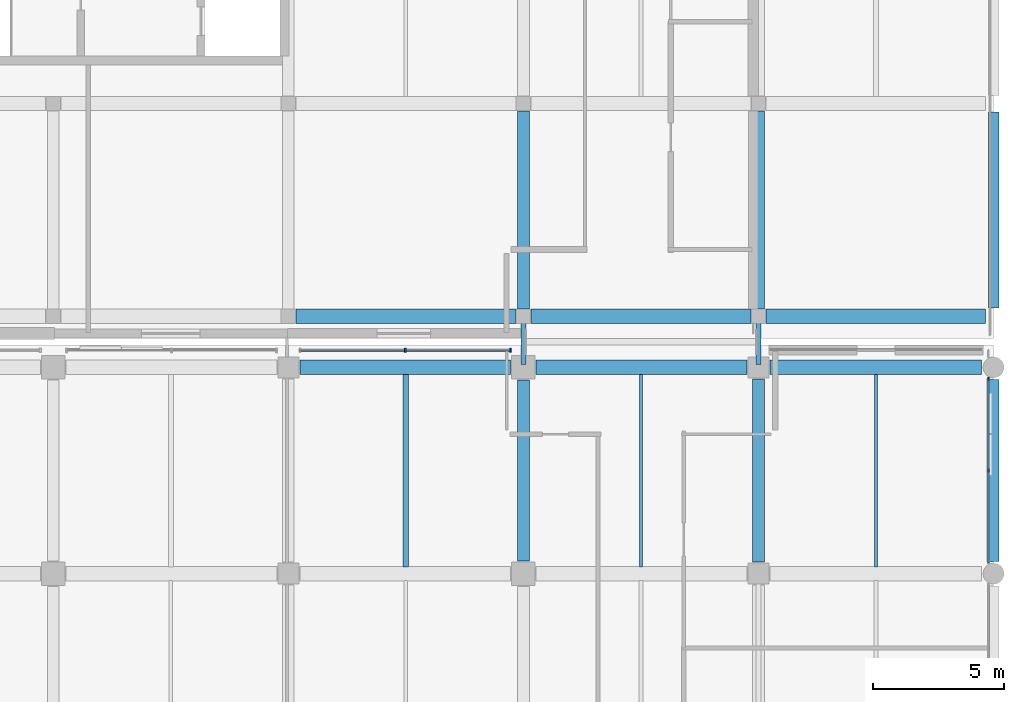
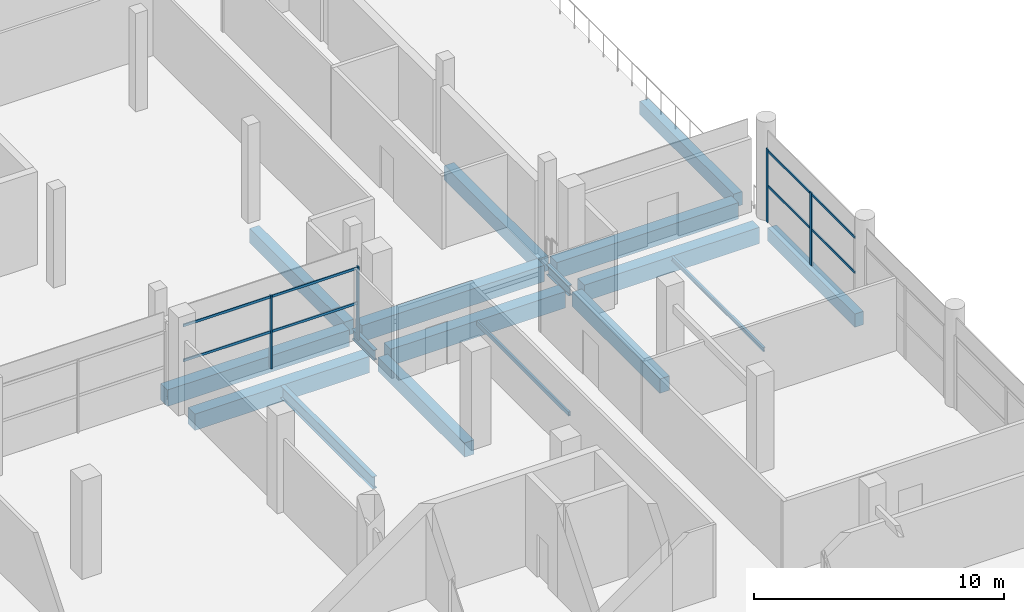
# One storey, part 41 of 111: 17 beams, 8 members, 2 elements without a shape of their own.
"""IFC4 building model written with IfcOpenShell, lengths in metres."""

from ifc_helpers import new_model, si_unit, direction, frame, origin, origin_2d, place, context, subcontext, project, spatial, rectangle, hollow_rectangle, i_section, extrude, material, material_profile, profile_set, type_object, element, aggregate, save


model = new_model("IFC4")

# Units and contexts
model_context = context("Model", 3, precision=1e-05, world=origin(), true_north=direction((0.0, 1.0)))
body_context = subcontext(model_context, "Body", "Model", "MODEL_VIEW")
ifc_project = project(units=[si_unit("LENGTHUNIT", "METRE"), si_unit("AREAUNIT", "SQUARE_METRE"), si_unit("VOLUMEUNIT", "CUBIC_METRE"), si_unit("PLANEANGLEUNIT", "RADIAN"), si_unit("MASSUNIT", "GRAM", prefix="KILO"), si_unit("THERMODYNAMICTEMPERATUREUNIT", "KELVIN"), si_unit("POWERUNIT", "WATT")], contexts=[model_context])

# Site, building, storey
site_placement = place(None, origin())
site = spatial("IfcSite", under=ifc_project, at=site_placement, CompositionType="ELEMENT")
building_placement = place(site_placement, origin())
building = spatial("IfcBuilding", under=site, at=building_placement, Name="Sindhuravela Promenade Stadium", CompositionType="ELEMENT")
storey_placement = place(building_placement, frame((0.0, 0.0, 9.60009765625)))
storey = spatial("IfcBuildingStorey", under=building, at=storey_placement, Name="L02", CompositionType="ELEMENT", Elevation=9.60009765625)

# Curtain wall, members
ifc_material_1 = material(Name="Anodised architectural aluminium 6063-T6", Category="aluminium")
curtain_wall_type_1 = type_object("IfcCurtainWallType", Name="CW-MOD-2", PredefinedType="NOTDEFINED", material=ifc_material_1)
curtain_wall_1_placement = place(storey_placement, origin())
curtain_wall_1 = element("IfcCurtainWall", 1, at=curtain_wall_1_placement, inside=storey, type_object=curtain_wall_type_1, Name="Bronze curtain wall CW-EAST-L02-105", PredefinedType="NOTDEFINED")
ifc_material_profile_1 = material_profile(ifc_material_1, rectangle(XDim=0.06005859375, YDim=0.159912109375, at=origin_2d()), Name="ALU M60x160")
ifc_profile_set_1 = profile_set([ifc_material_profile_1], Name="Anodised architectural aluminium 6063-T6")
member_type_1 = type_object("IfcMemberType", Name="CW-MUL-4", PredefinedType="MULLION", material=ifc_profile_set_1)
member_1_placement = place(storey_placement, frame((193.47509765625, 125.550048828125, 0.0), z_axis=(0.0, 0.0, 1.0), x_axis=(1.0, 0.0, 0.0)))
member_1 = element("IfcMember", 2, at=member_1_placement, type_object=member_type_1, Name="Curtain wall mullion CW-EAST-L02-105-M2", PredefinedType="MULLION", context=body_context, shape_type="SweptSolid", body=[
    extrude(rectangle(XDim=0.06005859375, YDim=0.159912109375, at=origin_2d()), origin(), (0.0, 0.0, 1.0), 3.579833984375),
])
member_2_placement = place(storey_placement, frame((197.5, 125.550048828125, 0.0), z_axis=(0.0, 0.0, 1.0), x_axis=(1.0, 0.0, 0.0)))
member_2 = element("IfcMember", 3, at=member_2_placement, type_object=member_type_1, Name="Curtain wall mullion CW-EAST-L02-105-M3", PredefinedType="MULLION", context=body_context, shape_type="SweptSolid", body=[
    extrude(rectangle(XDim=0.06005859375, YDim=0.159912109375, at=origin_2d()), origin(), (0.0, 0.0, 1.0), 3.579833984375),
])

curtain_wall_type_2 = type_object("IfcCurtainWallType", Name="CW-MOD-3", PredefinedType="NOTDEFINED", material=ifc_material_1)
curtain_wall_2_placement = place(storey_placement, origin())
curtain_wall_2 = element("IfcCurtainWall", 4, at=curtain_wall_2_placement, inside=storey, type_object=curtain_wall_type_2, Name="Bronze curtain wall CW-EAST-L02-106", PredefinedType="NOTDEFINED")
ifc_material_profile_2 = material_profile(ifc_material_1, rectangle(XDim=0.06005859375, YDim=0.139892578125, at=origin_2d()), Name="ALU M60x140")
ifc_profile_set_2 = profile_set([ifc_material_profile_2], Name="Anodised architectural aluminium 6063-T6")
member_type_2 = type_object("IfcMemberType", Name="CW-MUL-5", PredefinedType="MULLION", material=ifc_profile_set_2)
member_3_placement = place(storey_placement, frame((215.800048828125, 124.449951171875, 0.0), z_axis=(0.0, 0.0, 1.0), x_axis=(1.0, 0.0, 0.0)))
member_3 = element("IfcMember", 5, at=member_3_placement, type_object=member_type_2, Name="Curtain wall mullion CW-EAST-L02-106-M1", PredefinedType="MULLION", context=body_context, shape_type="SweptSolid", body=[
    extrude(rectangle(XDim=0.06005859375, YDim=0.139892578125, at=origin_2d()), origin(), (0.0, 0.0, 1.0), 3.579833984375),
])
member_4_placement = place(storey_placement, frame((215.800048828125, 120.949951171875, 0.0), z_axis=(0.0, 0.0, 1.0), x_axis=(1.0, 0.0, 0.0)))
member_4 = element("IfcMember", 6, at=member_4_placement, type_object=member_type_2, Name="Curtain wall mullion CW-EAST-L02-106-M2", PredefinedType="MULLION", context=body_context, shape_type="SweptSolid", body=[
    extrude(rectangle(XDim=0.06005859375, YDim=0.139892578125, at=origin_2d()), origin(), (0.0, 0.0, 1.0), 3.579833984375),
])

# Member
ifc_material_profile_3 = material_profile(ifc_material_1, rectangle(XDim=0.06005859375, YDim=0.1201171875, at=origin_2d()), Name="ALU T60x120")
ifc_profile_set_3 = profile_set([ifc_material_profile_3], Name="Anodised architectural aluminium 6063-T6")
member_type_3 = type_object("IfcMemberType", Name="CW-TRN-4", PredefinedType="USERDEFINED", material=ifc_profile_set_3)
member_5_placement = place(storey_placement, frame((189.425048828125, 125.550048828125, 1.789794921875), z_axis=(1.0, 0.0, 0.0), x_axis=(0.0, 1.0, 0.0)))
member_5 = element("IfcMember", 7, at=member_5_placement, type_object=member_type_3, Name="Curtain wall transom CW-EAST-L02-105-T1", ObjectType="TRANSOM", PredefinedType="USERDEFINED", context=body_context, shape_type="SweptSolid", body=[
    extrude(rectangle(XDim=0.06005859375, YDim=0.1201171875, at=origin_2d()), origin(), (0.0, 0.0, 1.0), 8.099853515625),
])

member_6_placement = place(storey_placement, frame((189.425048828125, 125.550048828125, 3.5), z_axis=(1.0, 0.0, 0.0), x_axis=(0.0, 1.0, 0.0)))
member_6 = element("IfcMember", 8, at=member_6_placement, type_object=member_type_3, Name="Curtain wall transom CW-EAST-L02-105-T2", ObjectType="TRANSOM", PredefinedType="USERDEFINED", context=body_context, shape_type="SweptSolid", body=[
    extrude(rectangle(XDim=0.06005859375, YDim=0.1201171875, at=origin_2d()), origin(), (0.0, 0.0, 1.0), 8.099853515625),
])

aggregate(curtain_wall_1, [member_1, member_2, member_5, member_6])

ifc_material_profile_4 = material_profile(ifc_material_1, rectangle(XDim=0.06005859375, YDim=0.110107421875, at=origin_2d()), Name="ALU T60x110")
ifc_profile_set_4 = profile_set([ifc_material_profile_4], Name="Anodised architectural aluminium 6063-T6")
member_type_4 = type_object("IfcMemberType", Name="CW-TRN-5", PredefinedType="USERDEFINED", material=ifc_profile_set_4)
member_7_placement = place(storey_placement, frame((215.800048828125, 124.47509765625, 1.789794921875), z_axis=(0.0, -1.0, 0.0), x_axis=(1.0, 0.0, 0.0)))
member_7 = element("IfcMember", 9, at=member_7_placement, type_object=member_type_4, Name="Curtain wall transom CW-EAST-L02-106-T1", ObjectType="TRANSOM", PredefinedType="USERDEFINED", context=body_context, shape_type="SweptSolid", body=[
    extrude(rectangle(XDim=0.06005859375, YDim=0.110107421875, at=origin_2d()), origin(), (0.0, 0.0, 1.0), 7.050048828125),
])

member_8_placement = place(storey_placement, frame((215.800048828125, 124.47509765625, 3.5), z_axis=(0.0, -1.0, 0.0), x_axis=(1.0, 0.0, 0.0)))
member_8 = element("IfcMember", 10, at=member_8_placement, type_object=member_type_4, Name="Curtain wall transom CW-EAST-L02-106-T2", ObjectType="TRANSOM", PredefinedType="USERDEFINED", context=body_context, shape_type="SweptSolid", body=[
    extrude(rectangle(XDim=0.06005859375, YDim=0.110107421875, at=origin_2d()), origin(), (0.0, 0.0, 1.0), 7.050048828125),
])

aggregate(curtain_wall_2, [member_3, member_4, member_7, member_8])

# Beams
ifc_material_2 = material(Name="Concrete M40", Category="concrete")
ifc_material_profile_5 = material_profile(ifc_material_2, rectangle(XDim=0.39990234375, YDim=0.64990234375, at=origin_2d()), Name="RC 400x650")
ifc_profile_set_5 = profile_set([ifc_material_profile_5], Name="Concrete M40")
beam_type_1 = type_object("IfcBeamType", Name="RC-BM-400x650", PredefinedType="SPANDREL", material=ifc_profile_set_5)
beam_1_placement = place(storey_placement, frame((216.0, 117.465087890625, -0.60498046875), z_axis=(0.0, 1.0, 0.0), x_axis=(-1.0, 0.0, 0.0)))
element("IfcBeam", 11, at=beam_1_placement, inside=storey, type_object=beam_type_1, Name="Primary beam SP01 EAST L02", PredefinedType="SPANDREL", context=body_context, shape_type="SweptSolid", body=[
    extrude(rectangle(XDim=0.39990234375, YDim=0.64990234375, at=origin_2d()), origin(), (0.0, 0.0, 1.0), 6.969970703125),
])
beam_2_placement = place(storey_placement, frame((216.0, 127.1650390625, -0.635009765625), z_axis=(0.0, 1.0, 0.0), x_axis=(-1.0, 0.0, 0.0)))
element("IfcBeam", 12, at=beam_2_placement, inside=storey, type_object=beam_type_1, Name="Primary beam SP01 Pavilion NE L02", PredefinedType="SPANDREL", context=body_context, shape_type="SweptSolid", body=[
    extrude(rectangle(XDim=0.39990234375, YDim=0.64990234375, at=origin_2d()), origin(), (0.0, 0.0, 1.0), 7.52001953125),
])
ifc_material_profile_6 = material_profile(ifc_material_2, rectangle(XDim=0.449951171875, YDim=0.699951171875, at=origin_2d()), Name="RC 450x700")
ifc_profile_set_6 = profile_set([ifc_material_profile_6], Name="Concrete M40")
beam_type_2 = type_object("IfcBeamType", Name="RC-BM-450x700", PredefinedType="BEAM", material=ifc_profile_set_6)
beam_3_placement = place(storey_placement, frame((198.0, 117.489990234375, -0.630126953125), z_axis=(0.0, 1.0, 0.0), x_axis=(-1.0, 0.0, 0.0)))
element("IfcBeam", 13, at=beam_3_placement, inside=storey, type_object=beam_type_2, Name="Primary beam GB07 EAST L02", PredefinedType="BEAM", context=body_context, shape_type="SweptSolid", body=[
    extrude(rectangle(XDim=0.449951171875, YDim=0.699951171875, at=origin_2d()), origin(), (0.0, 0.0, 1.0), 6.919921875),
])
beam_4_placement = place(storey_placement, frame((207.0, 117.43994140625, -0.630126953125), z_axis=(0.0, 1.0, 0.0), x_axis=(-1.0, 0.0, 0.0)))
element("IfcBeam", 14, at=beam_4_placement, inside=storey, type_object=beam_type_2, Name="Primary beam GB07 EAST L02", PredefinedType="BEAM", context=body_context, shape_type="SweptSolid", body=[
    extrude(rectangle(XDim=0.449951171875, YDim=0.699951171875, at=origin_2d()), origin(), (0.0, 0.0, 1.0), 7.02001953125),
])
for number, where, z_axis, x_axis, name in (
    (15, (198.0, 127.139892578125, -0.585205078125), (0.0, 1.0, 0.0), (-1.0, 0.0, 0.0), "Primary beam GB07 Pavilion NE L02"),
    (16, (207.0, 127.139892578125, -0.66015625), (0.0, 1.0, 0.0), (-1.0, 0.0, 0.0), "Primary beam GB07 Pavilion NE L02"),
):
    element("IfcBeam", number, at=place(storey_placement, frame(where, z_axis=z_axis, x_axis=x_axis)), inside=storey, type_object=beam_type_2, Name=name, PredefinedType="BEAM", context=body_context, shape_type="SweptSolid", body=[
        extrude(rectangle(XDim=0.449951171875, YDim=0.699951171875, at=origin_2d()), origin(), (0.0, 0.0, 1.0), 7.570068359375),
    ])
ifc_material_profile_7 = material_profile(ifc_material_2, rectangle(XDim=0.550048828125, YDim=0.800048828125, at=origin_2d()), Name="RC 550x800")
ifc_profile_set_7 = profile_set([ifc_material_profile_7], Name="Concrete M40")
beam_type_3 = type_object("IfcBeamType", Name="RC-BM-550x800", PredefinedType="BEAM", material=ifc_profile_set_7)
for number, where, z_axis, x_axis, name in (
    (17, (189.43994140625, 124.89990234375, -0.68017578125), (1.0, 0.0, 0.0), (0.0, 1.0, 0.0), "Primary girder GB05 EAST L02"),
    (18, (198.489990234375, 124.89990234375, -0.68017578125), (1.0, 0.0, 0.0), (0.0, 1.0, 0.0), "Primary girder GB05 EAST L02"),
):
    element("IfcBeam", number, at=place(storey_placement, frame(where, z_axis=z_axis, x_axis=x_axis)), inside=storey, type_object=beam_type_3, Name=name, PredefinedType="BEAM", context=body_context, shape_type="SweptSolid", body=[
        extrude(rectangle(XDim=0.550048828125, YDim=0.800048828125, at=origin_2d()), origin(), (0.0, 0.0, 1.0), 8.070068359375),
    ])
beam_5_placement = place(storey_placement, frame((207.43994140625, 124.89990234375, -0.68017578125), z_axis=(1.0, 0.0, 0.0), x_axis=(0.0, 1.0, 0.0)))
element("IfcBeam", 19, at=beam_5_placement, inside=storey, type_object=beam_type_3, Name="Primary girder GB05 EAST L02", PredefinedType="BEAM", context=body_context, shape_type="SweptSolid", body=[
    extrude(rectangle(XDim=0.550048828125, YDim=0.800048828125, at=origin_2d()), origin(), (0.0, 0.0, 1.0), 8.094970703125),
])
for number, where, z_axis, x_axis, name in (
    (20, (189.2900390625, 126.85009765625, -0.635009765625), (1.0, 0.0, 0.0), (0.0, 1.0, 0.0), "Primary girder GB05 Pavilion NE L02"),
    (21, (198.2900390625, 126.85009765625, -0.635009765625), (1.0, 0.0, 0.0), (0.0, 1.0, 0.0), "Primary girder GB05 Pavilion NE L02"),
):
    element("IfcBeam", number, at=place(storey_placement, frame(where, z_axis=z_axis, x_axis=x_axis)), inside=storey, type_object=beam_type_3, Name=name, PredefinedType="BEAM", context=body_context, shape_type="SweptSolid", body=[
        extrude(rectangle(XDim=0.550048828125, YDim=0.800048828125, at=origin_2d()), origin(), (0.0, 0.0, 1.0), 8.419921875),
    ])
beam_6_placement = place(storey_placement, frame((207.2900390625, 126.85009765625, -0.710205078125), z_axis=(1.0, 0.0, 0.0), x_axis=(0.0, 1.0, 0.0)))
element("IfcBeam", 22, at=beam_6_placement, inside=storey, type_object=beam_type_3, Name="Primary girder GB05 Pavilion NE L02", PredefinedType="BEAM", context=body_context, shape_type="SweptSolid", body=[
    extrude(rectangle(XDim=0.550048828125, YDim=0.800048828125, at=origin_2d()), origin(), (0.0, 0.0, 1.0), 8.39501953125),
])
ifc_material_3 = material(Name="Steel E350 (IS 2062 E350BR)", Category="steel")
ifc_material_profile_8 = material_profile(ifc_material_3, hollow_rectangle(XDim=0.10009765625, YDim=0.199951171875, WallThickness=0.008056640625, at=origin_2d()), Name="RHS 200x100x8")
ifc_profile_set_8 = profile_set([ifc_material_profile_8], Name="Steel E350 (IS 2062 E350BR)")
beam_type_4 = type_object("IfcBeamType", Name="ST-BM-LNT200", PredefinedType="LINTEL", material=ifc_profile_set_8)
beam_7_placement = place(storey_placement, frame((202.5, 117.264892578125, -0.380126953125), z_axis=(0.0, 1.0, 0.0), x_axis=(-1.0, 0.0, 0.0)))
element("IfcBeam", 23, at=beam_7_placement, inside=storey, type_object=beam_type_4, Name="Secondary floor joist LN01 EAST L02", PredefinedType="LINTEL", context=body_context, shape_type="SweptSolid", body=[
    extrude(hollow_rectangle(XDim=0.10009765625, YDim=0.199951171875, WallThickness=0.008056640625, at=origin_2d()), origin(), (0.0, 0.0, 1.0), 7.3701171875),
])
ifc_material_profile_9 = material_profile(ifc_material_3, i_section(OverallWidth=0.10009765625, OverallDepth=0.199951171875, WebThickness=0.005615234375, FlangeThickness=0.0107421875, FilletRadius=0.010986328125, at=origin_2d()), Name="ISMB 200")
ifc_profile_set_9 = profile_set([ifc_material_profile_9], Name="Steel E350 (IS 2062 E350BR)")
beam_type_5 = type_object("IfcBeamType", Name="ST-BM-MB200", PredefinedType="JOIST", material=ifc_profile_set_9)
beam_8_placement = place(storey_placement, frame((211.5, 117.264892578125, -0.380126953125), z_axis=(0.0, 1.0, 0.0), x_axis=(-1.0, 0.0, 0.0)))
element("IfcBeam", 24, at=beam_8_placement, inside=storey, type_object=beam_type_5, Name="Secondary floor joist SB01 EAST L02", PredefinedType="JOIST", context=body_context, shape_type="SweptSolid", body=[
    extrude(i_section(OverallWidth=0.10009765625, OverallDepth=0.199951171875, WebThickness=0.005615234375, FlangeThickness=0.0107421875, FilletRadius=0.010986328125, at=origin_2d()), origin(), (0.0, 0.0, 1.0), 7.3701171875),
])
ifc_material_profile_10 = material_profile(ifc_material_3, i_section(OverallWidth=0.179931640625, OverallDepth=0.5, WebThickness=0.01025390625, FlangeThickness=0.01708984375, FilletRadius=0.01708984375, at=origin_2d()), Name="ISMB 500")
ifc_profile_set_10 = profile_set([ifc_material_profile_10], Name="Steel E350 (IS 2062 E350BR)")
beam_type_6 = type_object("IfcBeamType", Name="ST-BM-MB500", PredefinedType="BEAM", material=ifc_profile_set_10)
for number, where, z_axis, x_axis, name in (
    (25, (198.0, 125.0, -0.610107421875), (0.0, 1.0, 0.0), (-1.0, 0.0, 0.0), "Concourse link bridge L02 East-NE PTFE sliding girder L"),
    (26, (207.0, 125.0, -0.610107421875), (0.0, 1.0, 0.0), (-1.0, 0.0, 0.0), "Concourse link bridge L02 East-NE PTFE sliding girder R"),
):
    element("IfcBeam", number, at=place(storey_placement, frame(where, z_axis=z_axis, x_axis=x_axis)), inside=storey, type_object=beam_type_6, Name=name, PredefinedType="BEAM", context=body_context, shape_type="SweptSolid", body=[
        extrude(i_section(OverallWidth=0.179931640625, OverallDepth=0.5, WebThickness=0.01025390625, FlangeThickness=0.01708984375, FilletRadius=0.01708984375, at=origin_2d()), origin(), (0.0, 0.0, 1.0), 1.75),
    ])
ifc_material_profile_11 = material_profile(ifc_material_3, i_section(OverallWidth=0.2099609375, OverallDepth=0.60009765625, WebThickness=0.011962890625, FlangeThickness=0.020751953125, FilletRadius=0.02001953125, at=origin_2d()), Name="ISMB 600")
ifc_profile_set_11 = profile_set([ifc_material_profile_11], Name="Steel E350 (IS 2062 E350BR)")
beam_type_7 = type_object("IfcBeamType", Name="ST-BM-MB600", PredefinedType="BEAM", material=ifc_profile_set_11)
beam_9_placement = place(storey_placement, frame((193.5, 117.264892578125, -0.580078125), z_axis=(0.0, 1.0, 0.0), x_axis=(-1.0, 0.0, 0.0)))
element("IfcBeam", 27, at=beam_9_placement, inside=storey, type_object=beam_type_7, Name="Secondary floor joist SB09 EAST L02", PredefinedType="BEAM", context=body_context, shape_type="SweptSolid", body=[
    extrude(i_section(OverallWidth=0.2099609375, OverallDepth=0.60009765625, WebThickness=0.011962890625, FlangeThickness=0.020751953125, FilletRadius=0.02001953125, at=origin_2d()), origin(), (0.0, 0.0, 1.0), 7.3701171875),
])

save(model, "model.ifc")
